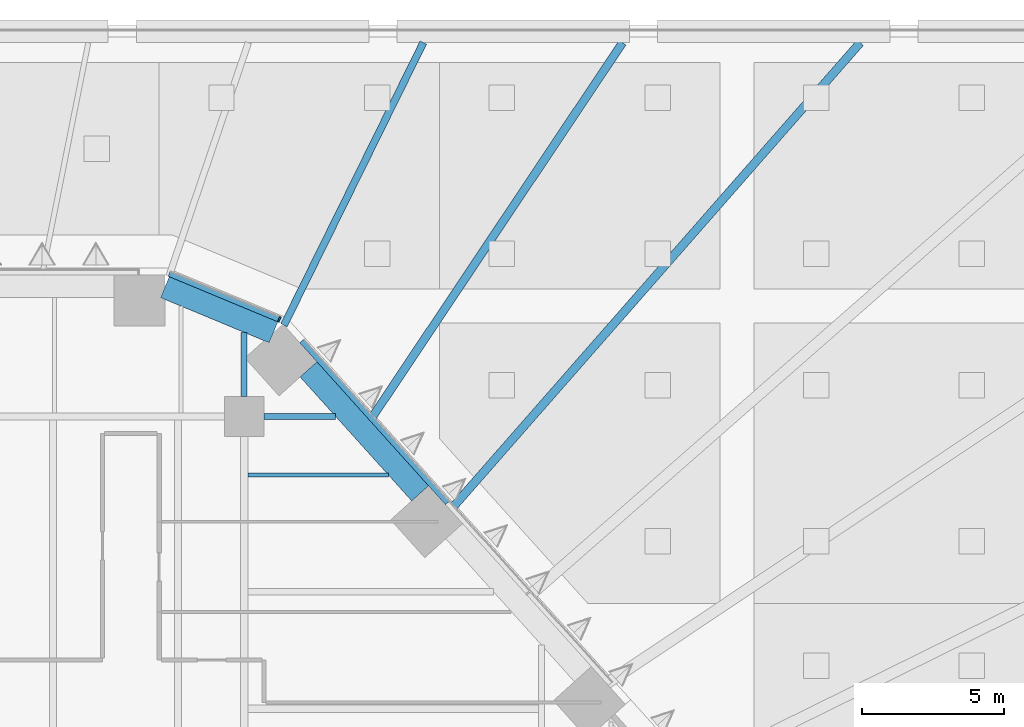
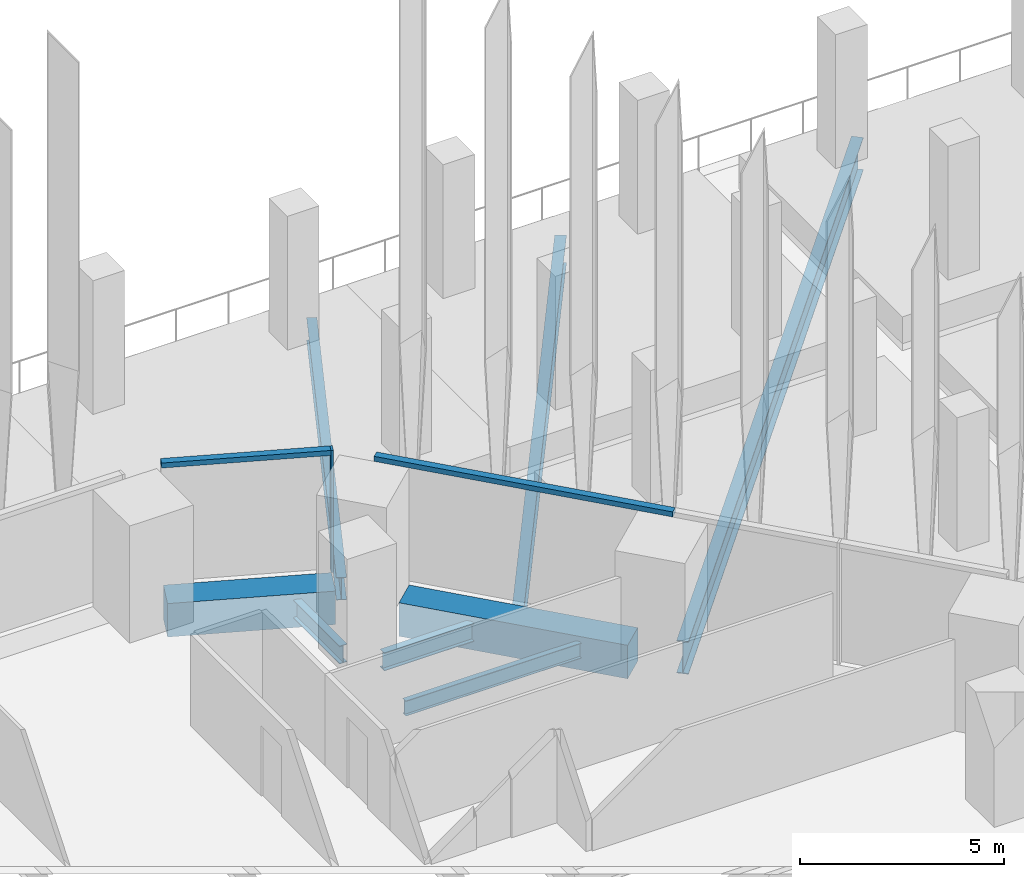
# One storey, part 20 of 51: 8 beams, 3 members, 2 elements without a shape of their own.
"""IFC4 building model written with IfcOpenShell, lengths in metres."""

from ifc_helpers import new_model, si_unit, direction, frame, origin, origin_2d, place, context, subcontext, project, spatial, rectangle, i_section, extrude, material, layer, layer_set, material_profile, profile_set, type_object, element, aggregate, save


model = new_model("IFC4")

# Units and contexts
model_context = context("Model", 3, precision=1e-05, world=origin(), true_north=direction((0.0, 1.0)))
body_context = subcontext(model_context, "Body", "Model", "MODEL_VIEW")
ifc_project = project(units=[si_unit("LENGTHUNIT", "METRE"), si_unit("AREAUNIT", "SQUARE_METRE"), si_unit("VOLUMEUNIT", "CUBIC_METRE"), si_unit("PLANEANGLEUNIT", "RADIAN"), si_unit("MASSUNIT", "GRAM", prefix="KILO")], contexts=[model_context])

# Site, building, storey
site_placement = place(None, origin())
site = spatial("IfcSite", under=ifc_project, at=site_placement, CompositionType="ELEMENT")
building_placement = place(site_placement, origin())
building = spatial("IfcBuilding", under=site, at=building_placement, Name="Isthmus Gate Tower", CompositionType="ELEMENT")
storey_placement = place(building_placement, frame((0.0, 0.0, 36.0)))
storey = spatial("IfcBuildingStorey", under=building, at=storey_placement, Name="L06", CompositionType="ELEMENT", Elevation=36.0)

# Curtain wall, member
ifc_material_1 = material(Name="Aluminium, pale champagne anodised", Category="aluminium")
ifc_layer = layer(ifc_material_1, 0.199951171875)
ifc_layer_set = layer_set([ifc_layer], Name="CW-1 UNITISED CURTAIN WALL 200 DEEP")
curtain_wall_type = type_object("IfcCurtainWallType", Name="CW-1 UNITISED CURTAIN WALL 200 DEEP", PredefinedType="NOTDEFINED", material=ifc_layer_set)
curtain_wall_1_placement = place(storey_placement, origin())
curtain_wall_1 = element("IfcCurtainWall", 1, at=curtain_wall_1_placement, inside=storey, type_object=curtain_wall_type, Name="CW-1 NE-N L06", PredefinedType="NOTDEFINED")
ifc_material_2 = material(Name="Aluminium, pale champagne anodised", Category="aluminium")
ifc_material_profile_1 = material_profile(ifc_material_2, rectangle(XDim=0.06005859375, YDim=0.199951171875, at=origin_2d()), Name="60x200")
ifc_profile_set_1 = profile_set([ifc_material_profile_1], Name="Aluminium, pale champagne anodised")
member_type_1 = type_object("IfcMemberType", Name="CW-1 MULLION 60 X 200", PredefinedType="MULLION", material=ifc_profile_set_1)
member_1_placement = place(storey_placement, frame((14.744140625, 30.427490234375, 0.0), z_axis=(0.0, 0.0, 1.0), x_axis=(-0.923353128387, 0.383951820282, 0.0)))
member_1 = element("IfcMember", 2, at=member_1_placement, type_object=member_type_1, Name="CW-1 mullion", PredefinedType="MULLION", context=body_context, shape_type="SweptSolid", body=[
    extrude(rectangle(XDim=0.06005859375, YDim=0.199951171875, at=origin_2d()), origin(), (0.0, 0.0, 1.0), 3.64990234375),
])

curtain_wall_2_placement = place(storey_placement, origin())
curtain_wall_2 = element("IfcCurtainWall", 3, at=curtain_wall_2_placement, inside=storey, type_object=curtain_wall_type, Name="CW-1 NE L06", PredefinedType="NOTDEFINED")
ifc_material_3 = material(Name="Aluminium, pale champagne anodised", Category="aluminium")
ifc_material_profile_2 = material_profile(ifc_material_3, rectangle(XDim=0.199951171875, YDim=0.14990234375, at=origin_2d()), Name="200x150")
ifc_profile_set_2 = profile_set([ifc_material_profile_2], Name="Aluminium, pale champagne anodised")
member_type_2 = type_object("IfcMemberType", Name="CW-1 TRANSOM 200 X 150", PredefinedType="USERDEFINED", material=ifc_profile_set_2)
member_2_placement = place(storey_placement, frame((20.686767578125, 23.95263671875, 3.574951171875), z_axis=(-0.669115577823, 0.743158356957, 0.0), x_axis=(-0.743158356957, -0.669115577823, 0.0)))
member_2 = element("IfcMember", 4, at=member_2_placement, type_object=member_type_2, Name="CW-1 transom", ObjectType="TRANSOM", PredefinedType="USERDEFINED", context=body_context, shape_type="SweptSolid", body=[
    extrude(rectangle(XDim=0.199951171875, YDim=0.14990234375, at=origin_2d()), origin(), (0.0, 0.0, 1.0), 7.689208984375),
])
aggregate(curtain_wall_2, [member_2])

# Member
member_3_placement = place(storey_placement, frame((14.716552734375, 30.43896484375, 3.574951171875), z_axis=(-0.923358236369, 0.383939536033, 0.0), x_axis=(-0.383939536033, -0.923358236369, 0.0)))
member_3 = element("IfcMember", 5, at=member_3_placement, type_object=member_type_2, Name="CW-1 transom", ObjectType="TRANSOM", PredefinedType="USERDEFINED", context=body_context, shape_type="SweptSolid", body=[
    extrude(rectangle(XDim=0.199951171875, YDim=0.14990234375, at=origin_2d()), origin(), (0.0, 0.0, 1.0), 4.181640625),
])

aggregate(curtain_wall_1, [member_1, member_3])

# Beams
ifc_material_4 = material(Name="Concrete f'c 70 MPa", Category="concrete")
ifc_material_profile_3 = material_profile(ifc_material_4, rectangle(XDim=0.800048828125, YDim=1.0, at=origin_2d()), Name="RC 800X1000")
ifc_profile_set_3 = profile_set([ifc_material_profile_3], Name="Concrete f'c 70 MPa")
beam_type_1 = type_object("IfcBeamType", Name="RC SPANDREL 800 X 1000", PredefinedType="SPANDREL", material=ifc_profile_set_3)
beam_1_placement = place(storey_placement, frame((10.701904296875, 31.56689453125, -0.5), z_axis=(0.923334166719, -0.383997417399, 0.0), x_axis=(0.383997417399, 0.923334166719, 0.0)))
element("IfcBeam", 6, at=beam_1_placement, inside=storey, type_object=beam_type_1, Name="str-spandrel-L06-00", PredefinedType="SPANDREL", context=body_context, shape_type="SweptSolid", body=[
    extrude(rectangle(XDim=0.800048828125, YDim=1.0, at=origin_2d()), origin(), (0.0, 0.0, 1.0), 4.15234375),
])
beam_2_placement = place(storey_placement, frame((15.772216796875, 28.66357421875, -0.5), z_axis=(0.669141061586, -0.743135411415, 0.0), x_axis=(0.743135411415, 0.669141061586, 0.0)))
element("IfcBeam", 7, at=beam_2_placement, inside=storey, type_object=beam_type_1, Name="str-spandrel-L06-01", PredefinedType="SPANDREL", context=body_context, shape_type="SweptSolid", body=[
    extrude(rectangle(XDim=0.800048828125, YDim=1.0, at=origin_2d()), origin(), (0.0, 0.0, 1.0), 5.889404296875),
])
ifc_material_5 = material(Name="Structural steel ASTM A992 Gr 50", Category="steel")
ifc_material_profile_4 = material_profile(ifc_material_5, i_section(OverallWidth=0.15234375, OverallDepth=0.45068359375, WebThickness=0.0078125, FlangeThickness=0.010986328125, at=origin_2d()), Name="W18X35")
ifc_profile_set_4 = profile_set([ifc_material_profile_4], Name="Structural steel ASTM A992 Gr 50")
beam_type_2 = type_object("IfcBeamType", Name="STEEL FLOOR BEAM W18X35", PredefinedType="JOIST", material=ifc_profile_set_4)
beam_3_placement = place(storey_placement, frame((13.626953125, 24.935791015625, -0.37548828125), z_axis=(1.0, 0.0, 0.0), x_axis=(0.0, 1.0, 0.0)))
element("IfcBeam", 8, at=beam_3_placement, inside=storey, type_object=beam_type_2, Name="str-beam-L06-26-02", PredefinedType="JOIST", context=body_context, shape_type="SweptSolid", body=[
    extrude(i_section(OverallWidth=0.15234375, OverallDepth=0.45068359375, WebThickness=0.0078125, FlangeThickness=0.010986328125, at=origin_2d()), origin(), (0.0, 0.0, 1.0), 4.963623046875),
])
ifc_material_6 = material(Name="Structural steel ASTM A992 Gr 50", Category="steel")
ifc_material_profile_5 = material_profile(ifc_material_6, i_section(OverallWidth=0.20947265625, OverallDepth=0.533447265625, WebThickness=0.009521484375, FlangeThickness=0.015869140625, at=origin_2d()), Name="W21X62")
ifc_profile_set_5 = profile_set([ifc_material_profile_5], Name="Structural steel ASTM A992 Gr 50")
beam_type_3 = type_object("IfcBeamType", Name="STEEL GIRDER W21X62", PredefinedType="BEAM", material=ifc_profile_set_5)
beam_4_placement = place(storey_placement, frame((14.199951171875, 27.0, -0.416748046875), z_axis=(1.0, 0.0, 0.0), x_axis=(0.0, 1.0, 0.0)))
element("IfcBeam", 9, at=beam_4_placement, inside=storey, type_object=beam_type_3, Name="str-girder-L06-19", PredefinedType="BEAM", context=body_context, shape_type="SweptSolid", body=[
    extrude(i_section(OverallWidth=0.20947265625, OverallDepth=0.533447265625, WebThickness=0.009521484375, FlangeThickness=0.015869140625, at=origin_2d()), origin(), (0.0, 0.0, 1.0), 2.531982421875),
])
beam_5_placement = place(storey_placement, frame((13.5, 27.699951171875, -0.416748046875), z_axis=(0.0, 1.0, 0.0), x_axis=(-1.0, 0.0, 0.0)))
element("IfcBeam", 10, at=beam_5_placement, inside=storey, type_object=beam_type_3, Name="str-girder-L06-34", PredefinedType="BEAM", context=body_context, shape_type="SweptSolid", body=[
    extrude(i_section(OverallWidth=0.20947265625, OverallDepth=0.533447265625, WebThickness=0.009521484375, FlangeThickness=0.015869140625, at=origin_2d()), origin(), (0.0, 0.0, 1.0), 2.27001953125),
])
ifc_material_7 = material(Name="Structural steel ASTM A992 Gr 50", Category="steel")
ifc_material_profile_6 = material_profile(ifc_material_7, i_section(OverallWidth=0.25390625, OverallDepth=0.679443359375, WebThickness=0.010986328125, FlangeThickness=0.015869140625, at=origin_2d()), Name="W27X84")
ifc_profile_set_6 = profile_set([ifc_material_profile_6], Name="Structural steel ASTM A992 Gr 50")
beam_type_4 = type_object("IfcBeamType", Name="STEEL LEDGE BEAM W27X84", PredefinedType="JOIST", material=ifc_profile_set_6)
beam_6_placement = place(storey_placement, frame((14.905029296875, 30.224365234375, -0.48974609375), z_axis=(0.442290065491, 0.896872063322, 0.0), x_axis=(-0.896872063322, 0.442290065491, 0.0)))
element("IfcBeam", 11, at=beam_6_placement, inside=storey, type_object=beam_type_4, Name="str-ringbeam-L06-00-08", PredefinedType="JOIST", context=body_context, shape_type="SweptSolid", body=[
    extrude(i_section(OverallWidth=0.25390625, OverallDepth=0.679443359375, WebThickness=0.010986328125, FlangeThickness=0.015869140625, at=origin_2d()), origin(), (0.0, 0.0, 1.0), 11.12255859375),
])
ifc_material_8 = material(Name="Structural steel ASTM A992 Gr 50", Category="steel")
ifc_material_profile_7 = material_profile(ifc_material_8, i_section(OverallWidth=0.2919921875, OverallDepth=0.8349609375, WebThickness=0.014404296875, FlangeThickness=0.01904296875, at=origin_2d()), Name="W33X118")
ifc_profile_set_7 = profile_set([ifc_material_profile_7], Name="Structural steel ASTM A992 Gr 50")
beam_type_5 = type_object("IfcBeamType", Name="STEEL LEDGE BEAM W33X118", PredefinedType="JOIST", material=ifc_profile_set_7)
beam_7_placement = place(storey_placement, frame((17.94189453125, 26.851806640625, -0.5673828125), z_axis=(0.555570245115, 0.831469604221, 0.0), x_axis=(-0.831469604221, 0.555570245115, 0.0)))
element("IfcBeam", 12, at=beam_7_placement, inside=storey, type_object=beam_type_5, Name="str-ringbeam-L06-00-07", PredefinedType="JOIST", context=body_context, shape_type="SweptSolid", body=[
    extrude(i_section(OverallWidth=0.2919921875, OverallDepth=0.8349609375, WebThickness=0.014404296875, FlangeThickness=0.01904296875, at=origin_2d()), origin(), (0.0, 0.0, 1.0), 16.0537109375),
])
ifc_material_9 = material(Name="Structural steel ASTM A992 Gr 50", Category="steel")
ifc_material_profile_8 = material_profile(ifc_material_9, i_section(OverallWidth=0.29833984375, OverallDepth=0.981201171875, WebThickness=0.015869140625, FlangeThickness=0.025390625, at=origin_2d()), Name="W40X167")
ifc_profile_set_8 = profile_set([ifc_material_profile_8], Name="Structural steel ASTM A992 Gr 50")
beam_type_6 = type_object("IfcBeamType", Name="STEEL LEDGE BEAM W40X167", PredefinedType="JOIST", material=ifc_profile_set_8)
beam_8_placement = place(storey_placement, frame((20.781982421875, 23.697509765625, -0.640625), z_axis=(0.659349920463, 0.751836207152, 0.0), x_axis=(-0.751836207152, 0.659349920463, 0.0)))
element("IfcBeam", 13, at=beam_8_placement, inside=storey, type_object=beam_type_6, Name="str-ringbeam-L06-00-06", PredefinedType="JOIST", context=body_context, shape_type="SweptSolid", body=[
    extrude(i_section(OverallWidth=0.29833984375, OverallDepth=0.981201171875, WebThickness=0.015869140625, FlangeThickness=0.025390625, at=origin_2d()), origin(), (0.0, 0.0, 1.0), 21.949462890625),
])

save(model, "model.ifc")
